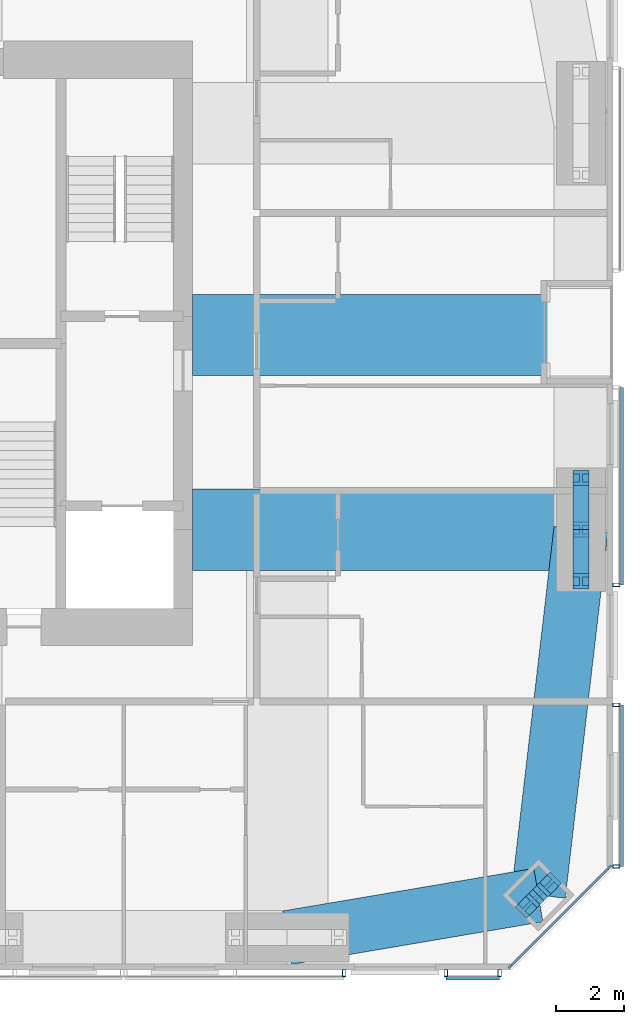
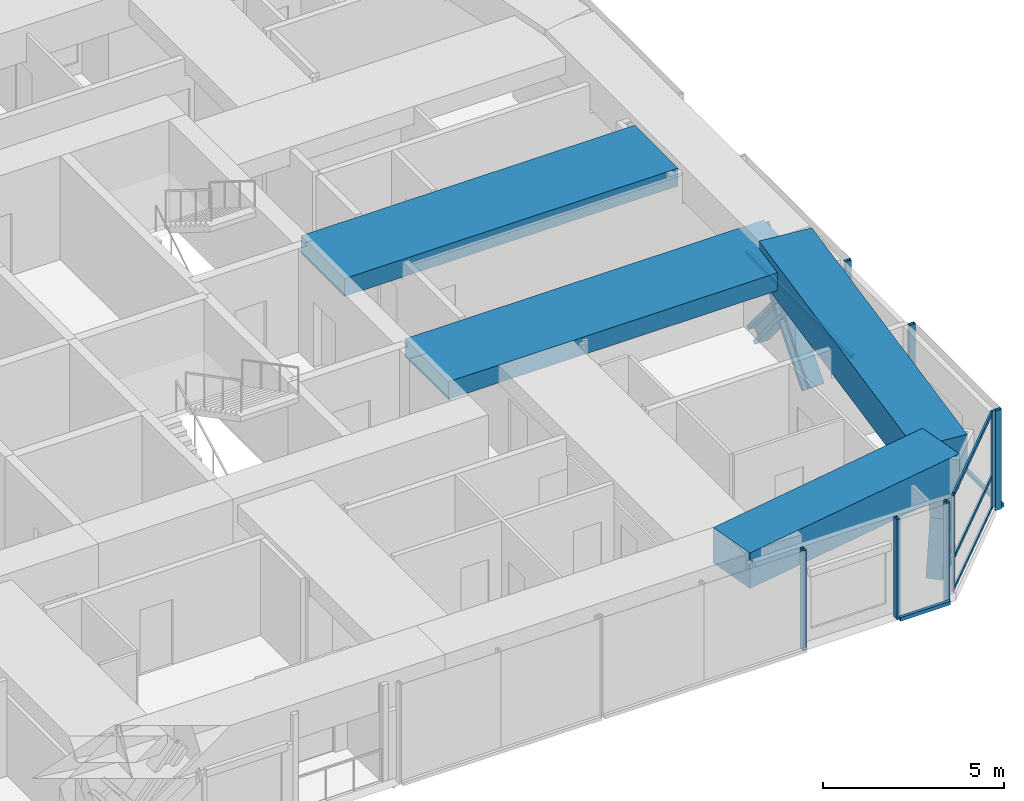
# One storey, part 8 of 19: 22 members, 4 beams, 5 elements without a shape of their own.
"""IFC4 building model written with IfcOpenShell, lengths in metres."""

from ifc_helpers import new_model, si_unit, direction, frame, origin, origin_2d, place, context, subcontext, project, spatial, rectangle, hollow_rectangle, i_section, extrude, material, material_profile, profile_set, type_object, element, aggregate, save


model = new_model("IFC4")

# Units and contexts
model_context = context("Model", 3, precision=1e-05, world=origin(), true_north=direction((0.0, 1.0)))
body_context = subcontext(model_context, "Body", "Model", "MODEL_VIEW")
ifc_project = project(units=[si_unit("LENGTHUNIT", "METRE"), si_unit("AREAUNIT", "SQUARE_METRE"), si_unit("VOLUMEUNIT", "CUBIC_METRE"), si_unit("PLANEANGLEUNIT", "RADIAN"), si_unit("MASSUNIT", "GRAM", prefix="KILO")], contexts=[model_context])

# Site, building, storey
site_placement = place(None, origin())
site = spatial("IfcSite", under=ifc_project, at=site_placement, CompositionType="ELEMENT")
building_placement = place(site_placement, origin())
building = spatial("IfcBuilding", under=site, at=building_placement, Name="Jalousie Tower", CompositionType="ELEMENT")
storey_placement = place(building_placement, frame((0.0, 0.0, 217.949951171875)))
storey = spatial("IfcBuildingStorey", under=building, at=storey_placement, Name="L59", CompositionType="ELEMENT", Elevation=217.949951171875)

# Curtain wall, members
ifc_material_1 = material(Name="Aluminium curtain wall", Category="aluminium")
curtain_wall_type_1 = type_object("IfcCurtainWallType", Name="CORNER WINDOW WALL", PredefinedType="USERDEFINED", material=ifc_material_1)
curtain_wall_1_placement = place(storey_placement, origin())
curtain_wall_1 = element("IfcCurtainWall", 1, at=curtain_wall_1_placement, inside=storey, type_object=curtain_wall_type_1, Name="Corner Window Wall L59 2", ObjectType="CORNER WINDOW WALL", PredefinedType="USERDEFINED")
ifc_material_2 = material(Name="Aluminium mullion", Category="aluminium")
ifc_material_profile_1 = material_profile(ifc_material_2, rectangle(XDim=0.06005859375, YDim=0.14990234375, at=origin_2d()), Name="MULLION 60x150")
ifc_profile_set_1 = profile_set([ifc_material_profile_1], Name="Aluminium mullion")
member_type_1 = type_object("IfcMemberType", Name="CORNER WINDOW WALL MULLION", PredefinedType="MULLION", material=ifc_profile_set_1)
member_1_placement = place(storey_placement, frame((53.469970703125, 0.108642578125, 0.0), z_axis=(0.0, 0.0, 1.0), x_axis=(-0.707106781187, 0.707106781187, 0.0)))
member_1 = element("IfcMember", 2, at=member_1_placement, type_object=member_type_1, Name="CW-C mullion 1", PredefinedType="MULLION", context=body_context, shape_type="SweptSolid", body=[
    extrude(rectangle(XDim=0.06005859375, YDim=0.14990234375, at=origin_2d()), origin(), (0.0, 0.0, 1.0), 3.260009765625),
])
member_2_placement = place(storey_placement, frame((56.391357421875, 3.030029296875, 0.0), z_axis=(0.0, 0.0, 1.0), x_axis=(-0.707106781187, 0.707106781187, 0.0)))
member_2 = element("IfcMember", 3, at=member_2_placement, type_object=member_type_1, Name="CW-C mullion 2", PredefinedType="MULLION", context=body_context, shape_type="SweptSolid", body=[
    extrude(rectangle(XDim=0.06005859375, YDim=0.14990234375, at=origin_2d()), origin(), (0.0, 0.0, 1.0), 3.260009765625),
])
ifc_material_3 = material(Name="Aluminium transom", Category="aluminium")
ifc_material_profile_2 = material_profile(ifc_material_3, rectangle(XDim=0.06005859375, YDim=0.1201171875, at=origin_2d()), Name="TRANSOM 60x120")
ifc_profile_set_2 = profile_set([ifc_material_profile_2], Name="Aluminium transom")
member_type_2 = type_object("IfcMemberType", Name="CORNER WINDOW WALL TRANSOM", PredefinedType="USERDEFINED", material=ifc_profile_set_2)
member_3_placement = place(storey_placement, frame((53.4912109375, 0.1298828125, 0.030029296875), z_axis=(0.707106781187, 0.707106781187, 0.0), x_axis=(-0.707106781187, 0.707106781187, 0.0)))
member_3 = element("IfcMember", 4, at=member_3_placement, type_object=member_type_2, Name="CW-C transom 1.1", ObjectType="TRANSOM", PredefinedType="USERDEFINED", context=body_context, shape_type="SweptSolid", body=[
    extrude(rectangle(XDim=0.06005859375, YDim=0.1201171875, at=origin_2d()), origin(), (0.0, 0.0, 1.0), 4.0712890625),
])
member_4_placement = place(storey_placement, frame((53.4912109375, 0.1298828125, 1.10009765625), z_axis=(0.707106781187, 0.707106781187, 0.0), x_axis=(-0.707106781187, 0.707106781187, 0.0)))
member_4 = element("IfcMember", 5, at=member_4_placement, type_object=member_type_2, Name="CW-C transom 1.2", ObjectType="TRANSOM", PredefinedType="USERDEFINED", context=body_context, shape_type="SweptSolid", body=[
    extrude(rectangle(XDim=0.06005859375, YDim=0.1201171875, at=origin_2d()), origin(), (0.0, 0.0, 1.0), 4.0712890625),
])
member_5_placement = place(storey_placement, frame((53.4912109375, 0.1298828125, 3.22998046875), z_axis=(0.707106781187, 0.707106781187, 0.0), x_axis=(-0.707106781187, 0.707106781187, 0.0)))
member_5 = element("IfcMember", 6, at=member_5_placement, type_object=member_type_2, Name="CW-C transom 1.3", ObjectType="TRANSOM", PredefinedType="USERDEFINED", context=body_context, shape_type="SweptSolid", body=[
    extrude(rectangle(XDim=0.06005859375, YDim=0.1201171875, at=origin_2d()), origin(), (0.0, 0.0, 1.0), 4.0712890625),
])
aggregate(curtain_wall_1, [member_1, member_2, member_3, member_4, member_5])

# Members
ifc_material_4 = material(Name="Steel ASTM A992 Grade 50", Category="steel")
ifc_material_profile_3 = material_profile(ifc_material_4, i_section(OverallWidth=0.472412109375, OverallDepth=0.5791015625, WebThickness=0.094970703125, FlangeThickness=0.1298828125, at=origin_2d()), Name="W14X808")
ifc_profile_set_3 = profile_set([ifc_material_profile_3], Name="Steel ASTM A992 Grade 50")
member_type_3 = type_object("IfcMemberType", Name="PERIMETER BRACE W14X808", PredefinedType="BRACE", material=ifc_profile_set_3)
member_6_placement = place(storey_placement, frame((53.974609375, 1.888916015625, -0.75), z_axis=(0.169373718771, 0.16924383095, 0.970911463047), x_axis=(-0.706835495285, 0.707377963048, 0.0)))
element("IfcMember", 7, at=member_6_placement, inside=storey, type_object=member_type_3, Name="Perimeter brace 05 L59 part 1", PredefinedType="BRACE", context=body_context, shape_type="SweptSolid", body=[
    extrude(i_section(OverallWidth=0.472412109375, OverallDepth=0.5791015625, WebThickness=0.094970703125, FlangeThickness=0.1298828125, at=origin_2d()), origin(), (0.0, 0.0, 1.0), 1.879638671875),
])
member_7_placement = place(storey_placement, frame((54.29296875, 2.20703125, 1.074951171875), z_axis=(0.169222490292, 0.169352361735, 0.970918908228), x_axis=(-0.707377963048, 0.706835495285, 0.0)))
element("IfcMember", 8, at=member_7_placement, inside=storey, type_object=member_type_3, Name="Perimeter brace 05 L59 part 2", PredefinedType="BRACE", context=body_context, shape_type="SweptSolid", body=[
    extrude(i_section(OverallWidth=0.472412109375, OverallDepth=0.5791015625, WebThickness=0.094970703125, FlangeThickness=0.1298828125, at=origin_2d()), origin(), (0.0, 0.0, 1.0), 1.8798828125),
])
member_8_placement = place(storey_placement, frame((54.611083984375, 2.525390625, -0.75), z_axis=(-0.16924383095, -0.169373718771, 0.970911463047), x_axis=(0.707377963048, -0.706835495285, 0.0)))
element("IfcMember", 9, at=member_8_placement, inside=storey, type_object=member_type_3, Name="Perimeter brace 05 L59 part 3", PredefinedType="BRACE", context=body_context, shape_type="SweptSolid", body=[
    extrude(i_section(OverallWidth=0.472412109375, OverallDepth=0.5791015625, WebThickness=0.094970703125, FlangeThickness=0.1298828125, at=origin_2d()), origin(), (0.0, 0.0, 1.0), 1.879638671875),
])
member_9_placement = place(storey_placement, frame((54.29296875, 2.20703125, 1.074951171875), z_axis=(-0.169352361735, -0.169222490292, 0.970918908228), x_axis=(0.706835495285, -0.707377963048, 0.0)))
element("IfcMember", 10, at=member_9_placement, inside=storey, type_object=member_type_3, Name="Perimeter brace 05 L59 part 4", PredefinedType="BRACE", context=body_context, shape_type="SweptSolid", body=[
    extrude(i_section(OverallWidth=0.472412109375, OverallDepth=0.5791015625, WebThickness=0.094970703125, FlangeThickness=0.1298828125, at=origin_2d()), origin(), (0.0, 0.0, 1.0), 1.8798828125),
])
member_10_placement = place(storey_placement, frame((55.550048828125, 11.47509765625, -0.75), z_axis=(0.0, 0.641203686759, 0.767370726629), x_axis=(-1.0, 0.0, 0.0)))
element("IfcMember", 11, at=member_10_placement, inside=storey, type_object=member_type_3, Name="Perimeter brace 06 L59 part 1", PredefinedType="BRACE", context=body_context, shape_type="SweptSolid", body=[
    extrude(i_section(OverallWidth=0.472412109375, OverallDepth=0.5791015625, WebThickness=0.094970703125, FlangeThickness=0.1298828125, at=origin_2d()), origin(), (0.0, 0.0, 1.0), 2.378173828125),
])
member_11_placement = place(storey_placement, frame((55.550048828125, 13.0, 1.074951171875), z_axis=(0.0, 0.641153177267, 0.767412928794), x_axis=(-1.0, 0.0, 0.0)))
element("IfcMember", 12, at=member_11_placement, inside=storey, type_object=member_type_3, Name="Perimeter brace 06 L59 part 2", PredefinedType="BRACE", context=body_context, shape_type="SweptSolid", body=[
    extrude(i_section(OverallWidth=0.472412109375, OverallDepth=0.5791015625, WebThickness=0.094970703125, FlangeThickness=0.1298828125, at=origin_2d()), origin(), (0.0, 0.0, 1.0), 2.37841796875),
])
member_12_placement = place(storey_placement, frame((55.550048828125, 14.52490234375, -0.75), z_axis=(0.0, -0.641203686759, 0.767370726629), x_axis=(1.0, 0.0, 0.0)))
element("IfcMember", 13, at=member_12_placement, inside=storey, type_object=member_type_3, Name="Perimeter brace 06 L59 part 3", PredefinedType="BRACE", context=body_context, shape_type="SweptSolid", body=[
    extrude(i_section(OverallWidth=0.472412109375, OverallDepth=0.5791015625, WebThickness=0.094970703125, FlangeThickness=0.1298828125, at=origin_2d()), origin(), (0.0, 0.0, 1.0), 2.378173828125),
])
member_13_placement = place(storey_placement, frame((55.550048828125, 13.0, 1.074951171875), z_axis=(0.0, -0.641153177267, 0.767412928794), x_axis=(1.0, 0.0, 0.0)))
element("IfcMember", 14, at=member_13_placement, inside=storey, type_object=member_type_3, Name="Perimeter brace 06 L59 part 4", PredefinedType="BRACE", context=body_context, shape_type="SweptSolid", body=[
    extrude(i_section(OverallWidth=0.472412109375, OverallDepth=0.5791015625, WebThickness=0.094970703125, FlangeThickness=0.1298828125, at=origin_2d()), origin(), (0.0, 0.0, 1.0), 2.37841796875),
])

# Beams
ifc_material_5 = material(Name="Concrete f'c 40 MPa", Category="concrete")
ifc_material_profile_4 = material_profile(ifc_material_5, rectangle(XDim=1.60009765625, YDim=1.199951171875, at=origin_2d()), Name="RC 1600x1200")
ifc_profile_set_4 = profile_set([ifc_material_profile_4], Name="Concrete f'c 40 MPa")
beam_type_1 = type_object("IfcBeamType", Name="RC BEAM 1600x1200", PredefinedType="BEAM", material=ifc_profile_set_4)
beam_1_placement = place(storey_placement, frame((46.875, 0.949951171875, 2.900146484375), z_axis=(0.985942997446, 0.167082033105, 0.0), x_axis=(-0.167082033105, 0.985942997446, 0.0)))
element("IfcBeam", 15, at=beam_1_placement, inside=storey, type_object=beam_type_1, Name="Edge band beam 04-05 under L60", PredefinedType="BEAM", context=body_context, shape_type="SweptSolid", body=[
    extrude(rectangle(XDim=1.60009765625, YDim=1.199951171875, at=origin_2d()), origin(), (0.0, 0.0, 1.0), 7.523681640625),
])
beam_2_placement = place(storey_placement, frame((54.29296875, 2.20703125, 2.900146484375), z_axis=(0.115690063472, 0.993285361421, 0.0), x_axis=(-0.993285361421, 0.115690063472, 0.0)))
element("IfcBeam", 16, at=beam_2_placement, inside=storey, type_object=beam_type_1, Name="Edge band beam 05-06 under L60", PredefinedType="BEAM", context=body_context, shape_type="SweptSolid", body=[
    extrude(rectangle(XDim=1.60009765625, YDim=1.199951171875, at=origin_2d()), origin(), (0.0, 0.0, 1.0), 10.865966796875),
])
ifc_material_6 = material(Name="Concrete f'c 40 MPa", Category="concrete")
ifc_material_profile_5 = material_profile(ifc_material_6, rectangle(XDim=2.39990234375, YDim=0.60009765625, at=origin_2d()), Name="RC 2400x600")
ifc_profile_set_5 = profile_set([ifc_material_profile_5], Name="Concrete f'c 40 MPa")
beam_type_2 = type_object("IfcBeamType", Name="RC BEAM 2400x600", PredefinedType="BEAM", material=ifc_profile_set_5)
beam_3_placement = place(storey_placement, frame((55.550048828125, 13.0, 2.9599609375), z_axis=(-1.0, 0.0, 0.0), x_axis=(0.0, -1.0, 0.0)))
element("IfcBeam", 17, at=beam_3_placement, inside=storey, type_object=beam_type_2, Name="Floor band beam under L60", PredefinedType="BEAM", context=body_context, shape_type="SweptSolid", body=[
    extrude(rectangle(XDim=2.39990234375, YDim=0.60009765625, at=origin_2d()), origin(), (0.0, 0.0, 1.0), 11.47509765625),
])
beam_4_placement = place(storey_placement, frame((44.074951171875, 18.75, 2.9599609375), z_axis=(1.0, 0.0, 0.0), x_axis=(0.0, 1.0, 0.0)))
element("IfcBeam", 18, at=beam_4_placement, inside=storey, type_object=beam_type_2, Name="Floor band beam under L60", PredefinedType="BEAM", context=body_context, shape_type="SweptSolid", body=[
    extrude(rectangle(XDim=2.39990234375, YDim=0.60009765625, at=origin_2d()), origin(), (0.0, 0.0, 1.0), 10.675048828125),
])

# Curtain wall, member
ifc_material_7 = material(Name="Perforated aluminium sheet", Category="aluminium")
curtain_wall_type_2 = type_object("IfcCurtainWallType", Name="SOLAR SCREEN SS-2", PredefinedType="USERDEFINED", material=ifc_material_7)
curtain_wall_2_placement = place(storey_placement, origin())
curtain_wall_2 = element("IfcCurtainWall", 19, at=curtain_wall_2_placement, inside=storey, type_object=curtain_wall_type_2, Name="Solar screen L59", ObjectType="SOLAR SCREEN SS-2", PredefinedType="USERDEFINED")
ifc_material_8 = material(Name="Steel ASTM A500 Grade C", Category="steel")
ifc_material_profile_6 = material_profile(ifc_material_8, hollow_rectangle(XDim=0.1015625, YDim=0.203125, WallThickness=0.0078125, at=origin_2d()), Name="HSS8X4X5/16")
ifc_profile_set_6 = profile_set([ifc_material_profile_6], Name="Steel ASTM A500 Grade C")
member_type_4 = type_object("IfcMemberType", Name="SOLAR SCREEN SS-2 MULLION", PredefinedType="MULLION", material=ifc_profile_set_6)
member_14_placement = place(storey_placement, frame((48.559326171875, -0.0966796875, -0.119873046875), z_axis=(0.0, 0.0, 1.0), x_axis=(1.0, 0.0, 0.0)))
member_14 = element("IfcMember", 20, at=member_14_placement, type_object=member_type_4, Name="SS2 post 3", PredefinedType="MULLION", context=body_context, shape_type="SweptSolid", body=[
    extrude(hollow_rectangle(XDim=0.1015625, YDim=0.203125, WallThickness=0.0078125, at=origin_2d()), origin(), (0.0, 0.0, 1.0), 3.3798828125),
])
aggregate(curtain_wall_2, [member_14])

# Curtain wall, members
curtain_wall_3_placement = place(storey_placement, origin())
curtain_wall_3 = element("IfcCurtainWall", 21, at=curtain_wall_3_placement, inside=storey, type_object=curtain_wall_type_2, Name="Solar screen L59", ObjectType="SOLAR SCREEN SS-2", PredefinedType="USERDEFINED")
member_15_placement = place(storey_placement, frame((51.559326171875, -0.0966796875, -0.119873046875), z_axis=(0.0, 0.0, 1.0), x_axis=(1.0, 0.0, 0.0)))
member_15 = element("IfcMember", 22, at=member_15_placement, type_object=member_type_4, Name="SS2 post 1", PredefinedType="MULLION", context=body_context, shape_type="SweptSolid", body=[
    extrude(hollow_rectangle(XDim=0.1015625, YDim=0.203125, WallThickness=0.0078125, at=origin_2d()), origin(), (0.0, 0.0, 1.0), 3.3798828125),
])
member_16_placement = place(storey_placement, frame((53.148681640625, -0.0966796875, -0.119873046875), z_axis=(0.0, 0.0, 1.0), x_axis=(1.0, 0.0, 0.0)))
member_16 = element("IfcMember", 23, at=member_16_placement, type_object=member_type_4, Name="SS2 post 2", PredefinedType="MULLION", context=body_context, shape_type="SweptSolid", body=[
    extrude(hollow_rectangle(XDim=0.1015625, YDim=0.203125, WallThickness=0.0078125, at=origin_2d()), origin(), (0.0, 0.0, 1.0), 3.3798828125),
])

curtain_wall_4_placement = place(storey_placement, origin())
curtain_wall_4 = element("IfcCurtainWall", 24, at=curtain_wall_4_placement, inside=storey, type_object=curtain_wall_type_2, Name="Solar screen L59", ObjectType="SOLAR SCREEN SS-2", PredefinedType="USERDEFINED")
member_17_placement = place(storey_placement, frame((56.5966796875, 3.05126953125, -0.119873046875), z_axis=(0.0, 0.0, 1.0), x_axis=(0.0, 1.0, 0.0)))
member_17 = element("IfcMember", 25, at=member_17_placement, type_object=member_type_4, Name="SS2 post 1", PredefinedType="MULLION", context=body_context, shape_type="SweptSolid", body=[
    extrude(hollow_rectangle(XDim=0.1015625, YDim=0.203125, WallThickness=0.0078125, at=origin_2d()), origin(), (0.0, 0.0, 1.0), 3.3798828125),
])
member_18_placement = place(storey_placement, frame((56.5966796875, 7.824951171875, -0.119873046875), z_axis=(0.0, 0.0, 1.0), x_axis=(0.0, 1.0, 0.0)))
member_18 = element("IfcMember", 26, at=member_18_placement, type_object=member_type_4, Name="SS2 post 2", PredefinedType="MULLION", context=body_context, shape_type="SweptSolid", body=[
    extrude(hollow_rectangle(XDim=0.1015625, YDim=0.203125, WallThickness=0.0078125, at=origin_2d()), origin(), (0.0, 0.0, 1.0), 3.3798828125),
])

# Curtain wall, member
curtain_wall_5_placement = place(storey_placement, origin())
curtain_wall_5 = element("IfcCurtainWall", 27, at=curtain_wall_5_placement, inside=storey, type_object=curtain_wall_type_2, Name="Solar screen L59", ObjectType="SOLAR SCREEN SS-2", PredefinedType="USERDEFINED")
member_19_placement = place(storey_placement, frame((56.5966796875, 11.367431640625, -0.119873046875), z_axis=(0.0, 0.0, 1.0), x_axis=(0.0, 1.0, 0.0)))
member_19 = element("IfcMember", 28, at=member_19_placement, type_object=member_type_4, Name="SS2 post 1", PredefinedType="MULLION", context=body_context, shape_type="SweptSolid", body=[
    extrude(hollow_rectangle(XDim=0.1015625, YDim=0.203125, WallThickness=0.0078125, at=origin_2d()), origin(), (0.0, 0.0, 1.0), 3.3798828125),
])

# Member
ifc_material_9 = material(Name="Extruded aluminium screen rail", Category="aluminium")
ifc_material_profile_7 = material_profile(ifc_material_9, rectangle(XDim=0.1015625, YDim=0.1201171875, at=origin_2d()), Name="RAIL 102x120")
ifc_profile_set_7 = profile_set([ifc_material_profile_7], Name="Extruded aluminium screen rail")
member_type_5 = type_object("IfcMemberType", Name="SOLAR SCREEN SS-2 TRANSOM", PredefinedType="USERDEFINED", material=ifc_profile_set_7)
member_20_placement = place(storey_placement, frame((51.559326171875, -0.2490234375, -0.06005859375), z_axis=(1.0, 0.0, 0.0), x_axis=(0.0, 1.0, 0.0)))
member_20 = element("IfcMember", 29, at=member_20_placement, type_object=member_type_5, Name="SS2 rail", ObjectType="TRANSOM", PredefinedType="USERDEFINED", context=body_context, shape_type="SweptSolid", body=[
    extrude(rectangle(XDim=0.1015625, YDim=0.1201171875, at=origin_2d()), origin(), (0.0, 0.0, 1.0), 1.58935546875),
])

aggregate(curtain_wall_3, [member_15, member_16, member_20])

member_21_placement = place(storey_placement, frame((56.7490234375, 3.05126953125, -0.06005859375), z_axis=(0.0, 1.0, 0.0), x_axis=(-1.0, 0.0, 0.0)))
member_21 = element("IfcMember", 30, at=member_21_placement, type_object=member_type_5, Name="SS2 rail", ObjectType="TRANSOM", PredefinedType="USERDEFINED", context=body_context, shape_type="SweptSolid", body=[
    extrude(rectangle(XDim=0.1015625, YDim=0.1201171875, at=origin_2d()), origin(), (0.0, 0.0, 1.0), 4.773681640625),
])

aggregate(curtain_wall_4, [member_17, member_18, member_21])

member_22_placement = place(storey_placement, frame((56.7490234375, 11.367431640625, -0.06005859375), z_axis=(0.0, 1.0, 0.0), x_axis=(-1.0, 0.0, 0.0)))
member_22 = element("IfcMember", 31, at=member_22_placement, type_object=member_type_5, Name="SS2 rail", ObjectType="TRANSOM", PredefinedType="USERDEFINED", context=body_context, shape_type="SweptSolid", body=[
    extrude(rectangle(XDim=0.1015625, YDim=0.1201171875, at=origin_2d()), origin(), (0.0, 0.0, 1.0), 5.83251953125),
])

aggregate(curtain_wall_5, [member_19, member_22])

save(model, "model.ifc")
